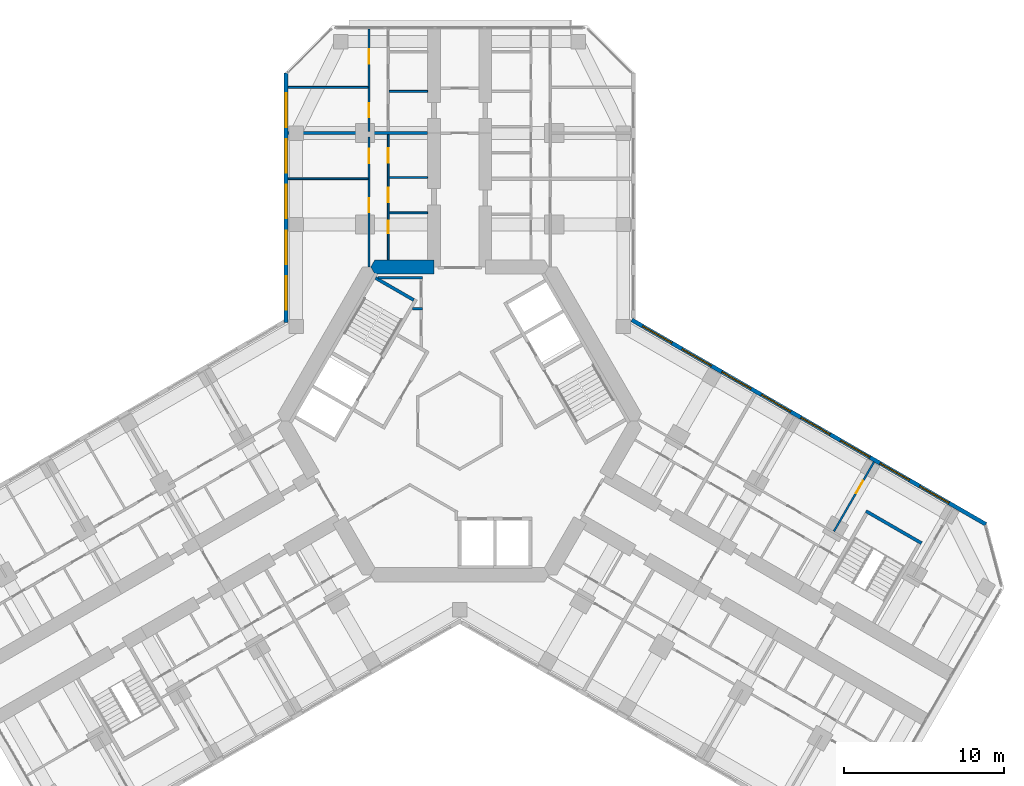
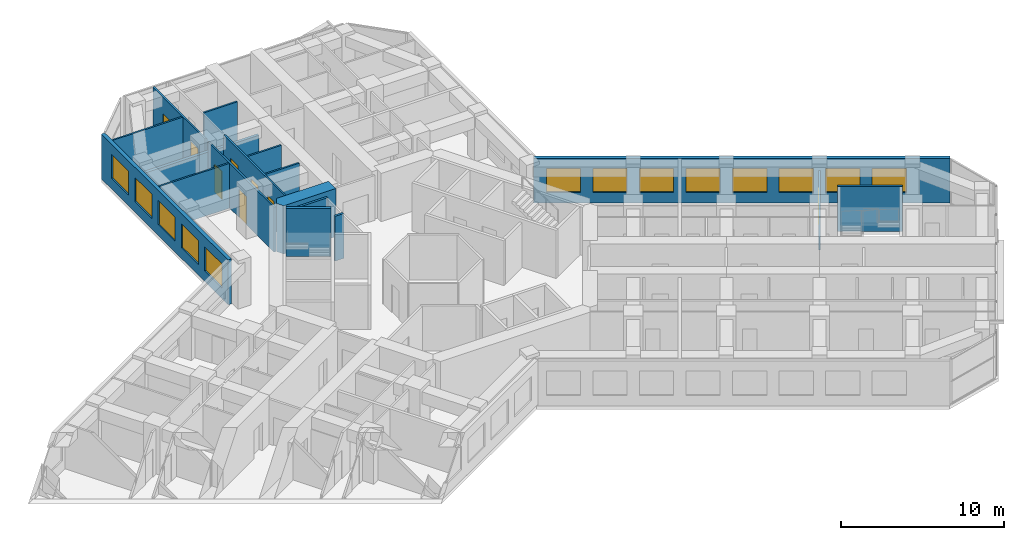
# One storey, part 16 of 19: 17 walls, 13 windows, 8 doors, 21 openings.
"""IFC4 building model written with IfcOpenShell, lengths in metres."""

from ifc_helpers import new_model, si_unit, direction, frame, frame_2d, origin, place, context, subcontext, project, spatial, polyline, rectangle, outline, extrude, material, layer, layer_set, type_object, element, fill, save


model = new_model("IFC4")

# Units and contexts
model_context = context("Model", 3, precision=1e-05, world=origin(), true_north=direction((0.0, 1.0)))
body_context = subcontext(model_context, "Body", "Model", "MODEL_VIEW")
ifc_project = project(units=[si_unit("LENGTHUNIT", "METRE"), si_unit("AREAUNIT", "SQUARE_METRE"), si_unit("VOLUMEUNIT", "CUBIC_METRE"), si_unit("PLANEANGLEUNIT", "RADIAN"), si_unit("MASSUNIT", "GRAM", prefix="KILO")], contexts=[model_context])

# Site, building, storey
site_placement = place(None, origin())
site = spatial("IfcSite", under=ifc_project, at=site_placement, CompositionType="ELEMENT")
building_placement = place(site_placement, origin())
building = spatial("IfcBuilding", under=site, at=building_placement, Name="Kosmar Iwan School Tower", CompositionType="ELEMENT")
storey_placement = place(building_placement, frame((0.0, 0.0, 149.0)))
storey = spatial("IfcBuildingStorey", under=building, at=storey_placement, Name="L37", CompositionType="ELEMENT", Elevation=149.0)

# Walls
ifc_material_1 = material(Name="Gypsum board on steel studs, fire-rated", Category="steel")
ifc_layer_1 = layer(ifc_material_1, 0.14990234375)
ifc_layer_set_1 = layer_set([ifc_layer_1], Name="Core room partition 150")
wall_type_1 = type_object("IfcWallType", Name="Core room partition 150", PredefinedType="PARTITIONING", material=ifc_layer_set_1)
wall_1_placement = place(storey_placement, frame((-2.324951171875, 6.985107421875, 0.0), z_axis=(0.0, 0.0, 1.0), x_axis=(-1.0, 0.0, 0.0)))
element("IfcWall", 1, at=wall_1_placement, inside=storey, type_object=wall_type_1, Name="Core room partition L37-CW2", PredefinedType="PARTITIONING", context=body_context, shape_type="SweptSolid", body=[
    extrude(rectangle(XDim=0.623779296875, YDim=0.14990234375, at=frame_2d((0.31201171875, 0.0))), origin(), (0.0, 0.0, 1.0), 3.35009765625),
])
wall_2_placement = place(storey_placement, frame((-5.089599609375, 8.93994140625, 0.0), z_axis=(0.0, 0.0, 1.0), x_axis=(1.0, 0.0, 0.0)))
element("IfcWall", 2, at=wall_2_placement, inside=storey, type_object=wall_type_1, Name="Core room partition L37-CW3", PredefinedType="PARTITIONING", context=body_context, shape_type="SweptSolid", body=[
    extrude(rectangle(XDim=2.7646484375, YDim=0.14990234375, at=frame_2d((1.38232421875, 0.0))), origin(), (0.0, 0.0, 1.0), 3.35009765625),
])
ifc_material_2 = material(Name="Concrete C50/60", Category="concrete")
ifc_layer_2 = layer(ifc_material_2, 0.89990234375)
ifc_layer_set_2 = layer_set([ifc_layer_2], Name="Core wall 900")
wall_type_2 = type_object("IfcWallType", Name="Core wall 900", PredefinedType="SHEAR", material=ifc_layer_set_2)
wall_3_placement = place(storey_placement, origin())
element("IfcWall", 3, at=wall_3_placement, inside=storey, type_object=wall_type_2, Name="Core wall F090b", PredefinedType="SHEAR", context=body_context, shape_type="SweptSolid", body=[
    extrude(outline(polyline([(-5.28271484375, 9.14990234375), (-1.60009765625, 9.14990234375), (-1.60009765625, 10.050048828125), (-5.28271484375, 10.050048828125), (-5.54248046875, 9.60009765625), (-5.28271484375, 9.14990234375)])), origin(), (0.0, 0.0, 1.0), 3.60009765625),
])

# Wall, openings, doors
ifc_material_3 = material(Name="Gypsum board on steel studs", Category="steel")
ifc_layer_3 = layer(ifc_material_3, 0.1201171875)
ifc_layer_set_3 = layer_set([ifc_layer_3], Name="Dwelling partition 120")
wall_type_3 = type_object("IfcWallType", Name="Dwelling partition 120", PredefinedType="PARTITIONING", material=ifc_layer_set_3)
wall_4_placement = place(storey_placement, frame((-4.449951171875, 10.050048828125, 0.0), z_axis=(0.0, 0.0, 1.0), x_axis=(0.0, 1.0, 0.0)))
wall_4 = element("IfcWall", 4, at=wall_4_placement, inside=storey, type_object=wall_type_3, Name="Partition L37-AL1-W1", PredefinedType="PARTITIONING", context=body_context, shape_type="SweptSolid", body=[
    extrude(rectangle(XDim=7.800048828125, YDim=0.1201171875, at=frame_2d((3.89990234375, 0.0))), origin(), (0.0, 0.0, 1.0), 3.35009765625),
])
opening_1_placement = place(wall_4_placement, frame((1.639892578125, 0.0, 0.0)))
opening_1 = element("IfcOpeningElement", 5, at=opening_1_placement, cuts=wall_4, Name="Opening D3", PredefinedType="OPENING", context=body_context, shape_type="SweptSolid", body=[
    extrude(rectangle(XDim=0.800048828125, YDim=2.10009765625, at=frame_2d((0.39990234375, 1.050048828125))), frame((0.0, 0.072021484375, 0.0), z_axis=(0.0, -1.0, 0.0), x_axis=(1.0, 0.0, 0.0)), (0.0, 0.0, 1.0), 0.14404296875),
])
opening_2_placement = place(wall_4_placement, frame((3.580078125, 0.0, 0.0)))
opening_2 = element("IfcOpeningElement", 6, at=opening_2_placement, cuts=wall_4, Name="Opening D2", PredefinedType="OPENING", context=body_context, shape_type="SweptSolid", body=[
    extrude(rectangle(XDim=0.89990234375, YDim=2.10009765625, at=frame_2d((0.449951171875, 1.050048828125))), frame((0.0, 0.072021484375, 0.0), z_axis=(0.0, -1.0, 0.0), x_axis=(1.0, 0.0, 0.0)), (0.0, 0.0, 1.0), 0.14404296875),
])
opening_3_placement = place(wall_4_placement, frame((6.06494140625, 0.0, 0.0)))
opening_3 = element("IfcOpeningElement", 7, at=opening_3_placement, cuts=wall_4, Name="Opening D2", PredefinedType="OPENING", context=body_context, shape_type="SweptSolid", body=[
    extrude(rectangle(XDim=0.89990234375, YDim=2.10009765625, at=frame_2d((0.449951171875, 1.050048828125))), frame((0.0, 0.072021484375, 0.0), z_axis=(0.0, -1.0, 0.0), x_axis=(1.0, 0.0, 0.0)), (0.0, 0.0, 1.0), 0.14404296875),
])
ifc_material_4 = material(Name="Timber door in timber frame", Category="wood")
door_type_1 = type_object("IfcDoorType", Name="Internal door 900x2100", OperationType="SINGLE_SWING_LEFT", PredefinedType="DOOR", material=ifc_material_4)
door_1_placement = place(opening_2_placement, origin())
door_1 = element("IfcDoor", 8, at=door_1_placement, inside=storey, type_object=door_type_1, Name="Entrance hall door L37-AL1-S2", OperationType="SINGLE_SWING_RIGHT", OverallHeight=2.10009765625, OverallWidth=0.89990234375, PredefinedType="DOOR", context=body_context, shape_type="SweptSolid", body=[
    extrude(rectangle(XDim=0.89990234375, YDim=2.10009765625, at=frame_2d((0.449951171875, 1.050048828125))), frame((0.0, 0.02490234375, 0.0), z_axis=(0.0, -1.0, 0.0), x_axis=(1.0, 0.0, 0.0)), (0.0, 0.0, 1.0), 0.050048828125),
])
fill(opening_2, door_1)
door_2_placement = place(opening_3_placement, origin())
door_2 = element("IfcDoor", 9, at=door_2_placement, inside=storey, type_object=door_type_1, Name="Pantry door L37-AL1-S3", OperationType="SINGLE_SWING_RIGHT", OverallHeight=2.10009765625, OverallWidth=0.89990234375, PredefinedType="DOOR", context=body_context, shape_type="SweptSolid", body=[
    extrude(rectangle(XDim=0.89990234375, YDim=2.10009765625, at=frame_2d((0.449951171875, 1.050048828125))), frame((0.0, 0.02490234375, 0.0), z_axis=(0.0, -1.0, 0.0), x_axis=(1.0, 0.0, 0.0)), (0.0, 0.0, 1.0), 0.050048828125),
])
fill(opening_3, door_2)
ifc_material_5 = material(Name="Timber door in timber frame", Category="wood")
door_type_2 = type_object("IfcDoorType", Name="Sanitary room door 800x2100", OperationType="SINGLE_SWING_LEFT", PredefinedType="DOOR", material=ifc_material_5)
door_3_placement = place(opening_1_placement, origin())
door_3 = element("IfcDoor", 10, at=door_3_placement, inside=storey, type_object=door_type_2, Name="Bathroom door L37-AL1-S1", OperationType="SINGLE_SWING_LEFT", OverallHeight=2.10009765625, OverallWidth=0.800048828125, PredefinedType="DOOR", context=body_context, shape_type="SweptSolid", body=[
    extrude(rectangle(XDim=0.800048828125, YDim=2.10009765625, at=frame_2d((0.39990234375, 1.050048828125))), frame((0.0, 0.02490234375, 0.0), z_axis=(0.0, -1.0, 0.0), x_axis=(1.0, 0.0, 0.0)), (0.0, 0.0, 1.0), 0.050048828125),
])
fill(opening_1, door_3)

wall_5_placement = place(storey_placement, frame((-5.64990234375, 9.60009765625, 0.0), z_axis=(0.0, 0.0, 1.0), x_axis=(0.0, 1.0, 0.0)))
wall_5 = element("IfcWall", 11, at=wall_5_placement, inside=storey, type_object=wall_type_3, Name="Partition L37-AL1-W2", PredefinedType="PARTITIONING", context=body_context, shape_type="SweptSolid", body=[
    extrude(rectangle(XDim=8.099853515625, YDim=0.1201171875, at=frame_2d((4.0498046875, 0.0))), origin(), (0.0, 0.0, 1.0), 3.35009765625),
])
opening_4_placement = place(wall_5_placement, frame((3.39990234375, 0.0, 0.0)))
opening_4 = element("IfcOpeningElement", 12, at=opening_4_placement, cuts=wall_5, Name="Opening D2", PredefinedType="OPENING", context=body_context, shape_type="SweptSolid", body=[
    extrude(rectangle(XDim=0.89990234375, YDim=2.10009765625, at=frame_2d((0.449951171875, 1.050048828125))), frame((0.0, 0.072021484375, 0.0), z_axis=(0.0, -1.0, 0.0), x_axis=(1.0, 0.0, 0.0)), (0.0, 0.0, 1.0), 0.14404296875),
])
opening_5_placement = place(wall_5_placement, frame((6.47509765625, 0.0, 0.0)))
opening_5 = element("IfcOpeningElement", 13, at=opening_5_placement, cuts=wall_5, Name="Opening D2", PredefinedType="OPENING", context=body_context, shape_type="SweptSolid", body=[
    extrude(rectangle(XDim=0.89990234375, YDim=2.10009765625, at=frame_2d((0.449951171875, 1.050048828125))), frame((0.0, 0.072021484375, 0.0), z_axis=(0.0, -1.0, 0.0), x_axis=(1.0, 0.0, 0.0)), (0.0, 0.0, 1.0), 0.14404296875),
])
door_4_placement = place(opening_4_placement, origin())
door_4 = element("IfcDoor", 14, at=door_4_placement, inside=storey, type_object=door_type_1, Name="Family room and kitchen door L37-AL1-F1", OperationType="SINGLE_SWING_RIGHT", OverallHeight=2.10009765625, OverallWidth=0.89990234375, PredefinedType="DOOR", context=body_context, shape_type="SweptSolid", body=[
    extrude(rectangle(XDim=0.89990234375, YDim=2.10009765625, at=frame_2d((0.449951171875, 1.050048828125))), frame((0.0, 0.02490234375, 0.0), z_axis=(0.0, -1.0, 0.0), x_axis=(1.0, 0.0, 0.0)), (0.0, 0.0, 1.0), 0.050048828125),
])
fill(opening_4, door_4)
door_5_placement = place(opening_5_placement, origin())
door_5 = element("IfcDoor", 15, at=door_5_placement, inside=storey, type_object=door_type_1, Name="Bedroom 1 door L37-AL1-F2", OperationType="SINGLE_SWING_RIGHT", OverallHeight=2.10009765625, OverallWidth=0.89990234375, PredefinedType="DOOR", context=body_context, shape_type="SweptSolid", body=[
    extrude(rectangle(XDim=0.89990234375, YDim=2.10009765625, at=frame_2d((0.449951171875, 1.050048828125))), frame((0.0, 0.02490234375, 0.0), z_axis=(0.0, -1.0, 0.0), x_axis=(1.0, 0.0, 0.0)), (0.0, 0.0, 1.0), 0.050048828125),
])
fill(opening_5, door_5)

# Walls
wall_6_placement = place(storey_placement, frame((-5.7099609375, 15.10009765625, 0.0), z_axis=(0.0, 0.0, 1.0), x_axis=(-1.0, 0.0, 0.0)))
element("IfcWall", 16, at=wall_6_placement, inside=storey, type_object=wall_type_3, Name="Partition L37-AL1-X1", PredefinedType="PARTITIONING", context=body_context, shape_type="SweptSolid", body=[
    extrude(rectangle(XDim=4.989990234375, YDim=0.1201171875, at=frame_2d((2.4951171875, 0.0))), origin(), (0.0, 0.0, 1.0), 3.35009765625),
])
for number, where, z_axis, x_axis, name in (
    (17, (-2.0, 12.97998046875, 0.0), (0.0, 0.0, 1.0), (-1.0, 0.0, 0.0), "Partition L37-AL1-Y1"),
    (18, (-2.0, 15.179931640625, 0.0), (0.0, 0.0, 1.0), (-1.0, 0.0, 0.0), "Partition L37-AL1-Y2"),
):
    element("IfcWall", number, at=place(storey_placement, frame(where, z_axis=z_axis, x_axis=x_axis)), inside=storey, type_object=wall_type_3, Name=name, PredefinedType="PARTITIONING", context=body_context, shape_type="SweptSolid", body=[
        extrude(rectangle(XDim=2.389892578125, YDim=0.1201171875, at=frame_2d((1.19482421875, 0.0))), origin(), (0.0, 0.0, 1.0), 3.35009765625),
    ])

# Wall, openings, doors
wall_7_placement = place(storey_placement, frame((-5.64990234375, 18.050048828125, 0.0), z_axis=(0.0, 0.0, 1.0), x_axis=(0.0, 1.0, 0.0)))
wall_7 = element("IfcWall", 19, at=wall_7_placement, inside=storey, type_object=wall_type_3, Name="Partition L37-AL2-W2", PredefinedType="PARTITIONING", context=body_context, shape_type="SweptSolid", body=[
    extrude(rectangle(XDim=6.39501953125, YDim=0.1201171875, at=frame_2d((3.197509765625, 0.0))), origin(), (0.0, 0.0, 1.0), 3.35009765625),
])
opening_6_placement = place(wall_7_placement, frame((0.875, 0.0, 0.0)))
opening_6 = element("IfcOpeningElement", 20, at=opening_6_placement, cuts=wall_7, Name="Opening D2", PredefinedType="OPENING", context=body_context, shape_type="SweptSolid", body=[
    extrude(rectangle(XDim=0.89990234375, YDim=2.10009765625, at=frame_2d((0.449951171875, 1.050048828125))), frame((0.0, 0.072021484375, 0.0), z_axis=(0.0, -1.0, 0.0), x_axis=(1.0, 0.0, 0.0)), (0.0, 0.0, 1.0), 0.14404296875),
])
opening_7_placement = place(wall_7_placement, frame((4.22509765625, 0.0, 0.0)))
opening_7 = element("IfcOpeningElement", 21, at=opening_7_placement, cuts=wall_7, Name="Opening D2", PredefinedType="OPENING", context=body_context, shape_type="SweptSolid", body=[
    extrude(rectangle(XDim=0.89990234375, YDim=2.10009765625, at=frame_2d((0.449951171875, 1.050048828125))), frame((0.0, 0.072021484375, 0.0), z_axis=(0.0, -1.0, 0.0), x_axis=(1.0, 0.0, 0.0)), (0.0, 0.0, 1.0), 0.14404296875),
])
door_6_placement = place(opening_6_placement, origin())
door_6 = element("IfcDoor", 22, at=door_6_placement, inside=storey, type_object=door_type_1, Name="Family room and kitchen door L37-AL2-F1", OperationType="SINGLE_SWING_LEFT", OverallHeight=2.10009765625, OverallWidth=0.89990234375, PredefinedType="DOOR", context=body_context, shape_type="SweptSolid", body=[
    extrude(rectangle(XDim=0.89990234375, YDim=2.10009765625, at=frame_2d((0.449951171875, 1.050048828125))), frame((0.0, 0.02490234375, 0.0), z_axis=(0.0, -1.0, 0.0), x_axis=(1.0, 0.0, 0.0)), (0.0, 0.0, 1.0), 0.050048828125),
])
fill(opening_6, door_6)
door_7_placement = place(opening_7_placement, origin())
door_7 = element("IfcDoor", 23, at=door_7_placement, inside=storey, type_object=door_type_1, Name="Bedroom 1 door L37-AL2-F2", OperationType="SINGLE_SWING_RIGHT", OverallHeight=2.10009765625, OverallWidth=0.89990234375, PredefinedType="DOOR", context=body_context, shape_type="SweptSolid", body=[
    extrude(rectangle(XDim=0.89990234375, YDim=2.10009765625, at=frame_2d((0.449951171875, 1.050048828125))), frame((0.0, 0.02490234375, 0.0), z_axis=(0.0, -1.0, 0.0), x_axis=(1.0, 0.0, 0.0)), (0.0, 0.0, 1.0), 0.050048828125),
])
fill(opening_7, door_7)

# Walls
wall_8_placement = place(storey_placement, frame((-5.7099609375, 20.800048828125, 0.0), z_axis=(0.0, 0.0, 1.0), x_axis=(-1.0, 0.0, 0.0)))
element("IfcWall", 24, at=wall_8_placement, inside=storey, type_object=wall_type_3, Name="Partition L37-AL2-X1", PredefinedType="PARTITIONING", context=body_context, shape_type="SweptSolid", body=[
    extrude(rectangle(XDim=4.989990234375, YDim=0.1201171875, at=frame_2d((2.4951171875, 0.0))), origin(), (0.0, 0.0, 1.0), 3.35009765625),
])
wall_9_placement = place(storey_placement, frame((-2.0, 20.550048828125, 0.0), z_axis=(0.0, 0.0, 1.0), x_axis=(-1.0, 0.0, 0.0)))
element("IfcWall", 25, at=wall_9_placement, inside=storey, type_object=wall_type_3, Name="Partition L37-AL2-Y1", PredefinedType="PARTITIONING", context=body_context, shape_type="SweptSolid", body=[
    extrude(rectangle(XDim=2.389892578125, YDim=0.1201171875, at=frame_2d((1.19482421875, 0.0))), origin(), (0.0, 0.0, 1.0), 3.35009765625),
])

# Wall, opening, door
wall_10_placement = place(storey_placement, frame((23.33642578125, -6.8798828125, 0.0), z_axis=(0.0, 0.0, 1.0), x_axis=(0.500033033937, 0.866006330792, 0.0)))
wall_10 = element("IfcWall", 26, at=wall_10_placement, inside=storey, type_object=wall_type_3, Name="Partition L37-CL2-TB", PredefinedType="PARTITIONING", context=body_context, shape_type="SweptSolid", body=[
    extrude(rectangle(XDim=4.989990234375, YDim=0.1201171875, at=frame_2d((2.4951171875, 0.0))), origin(), (0.0, 0.0, 1.0), 2.449951171875),
])
opening_8_placement = place(wall_10_placement, frame((2.739990234375, 0.0, 0.0)))
opening_8 = element("IfcOpeningElement", 27, at=opening_8_placement, cuts=wall_10, Name="Opening D2", PredefinedType="OPENING", context=body_context, shape_type="SweptSolid", body=[
    extrude(rectangle(XDim=0.89990234375, YDim=2.10009765625, at=frame_2d((0.449951171875, 1.050048828125))), frame((0.0, 0.072021484375, 0.0), z_axis=(0.0, -1.0, 0.0), x_axis=(1.0, 0.0, 0.0)), (0.0, 0.0, 1.0), 0.14404296875),
])
door_8_placement = place(opening_8_placement, origin())
door_8 = element("IfcDoor", 28, at=door_8_placement, inside=storey, type_object=door_type_1, Name="Study door L37-CL2-F2", OperationType="SINGLE_SWING_RIGHT", OverallHeight=2.10009765625, OverallWidth=0.89990234375, PredefinedType="DOOR", context=body_context, shape_type="SweptSolid", body=[
    extrude(rectangle(XDim=0.89990234375, YDim=2.10009765625, at=frame_2d((0.449951171875, 1.050048828125))), frame((0.0, 0.02490234375, 0.0), z_axis=(0.0, -1.0, 0.0), x_axis=(1.0, 0.0, 0.0)), (0.0, 0.0, 1.0), 0.050048828125),
])
fill(opening_8, door_8)

# Wall
ifc_material_6 = material(Name="Concrete C35/45", Category="concrete")
ifc_layer_4 = layer(ifc_material_6, 0.199951171875)
ifc_layer_set_4 = layer_set([ifc_layer_4], Name="Escape stair wall 200")
wall_type_4 = type_object("IfcWallType", Name="Escape stair wall 200", PredefinedType="SHEAR", material=ifc_layer_set_4)
wall_11_placement = place(storey_placement, frame((25.334228515625, -5.6201171875, 0.0), z_axis=(0.0, 0.0, 1.0), x_axis=(0.866026010844, -0.49999894854, 0.0)))
element("IfcWall", 29, at=wall_11_placement, inside=storey, type_object=wall_type_4, Name="Stair WS3 wall", PredefinedType="SHEAR", context=body_context, shape_type="SweptSolid", body=[
    extrude(rectangle(XDim=4.0, YDim=0.199951171875, at=frame_2d((2.0, 0.0))), origin(), (0.0, 0.0, 1.0), 3.330078125),
])

# Wall, openings, windows
ifc_material_7 = material(Name="Black aluminium rainscreen on insulated framing", Category="aluminium")
ifc_layer_5 = layer(ifc_material_7, 0.25)
ifc_layer_set_5 = layer_set([ifc_layer_5], Name="External wall rainscreen 250")
wall_type_5 = type_object("IfcWallType", Name="External wall rainscreen 250", PredefinedType="SOLIDWALL", material=ifc_layer_set_5)
wall_12_placement = place(storey_placement, frame((10.73681640625, 6.30078125, 0.0), z_axis=(0.0, 0.0, 1.0), x_axis=(0.866026390279, -0.499998291337, 0.0)))
wall_12 = element("IfcWall", 30, at=wall_12_placement, inside=storey, type_object=wall_type_5, Name="External wall CL L37", PredefinedType="SOLIDWALL", context=body_context, shape_type="SweptSolid", body=[
    extrude(rectangle(XDim=25.4873046875, YDim=0.25, at=frame_2d((12.74365234375, 0.0))), origin(), (0.0, 0.0, 1.0), 3.35009765625),
])
opening_9_placement = place(wall_12_placement, frame((0.777099609375, 0.0, 0.800048828125)))
opening_9 = element("IfcOpeningElement", 31, at=opening_9_placement, cuts=wall_12, Name="Opening W4", PredefinedType="OPENING", context=body_context, shape_type="SweptSolid", body=[
    extrude(rectangle(XDim=2.10009765625, YDim=1.800048828125, at=frame_2d((1.050048828125, 0.89990234375))), frame((0.0, 0.136962890625, 0.0), z_axis=(0.0, -1.0, 0.0), x_axis=(1.0, 0.0, 0.0)), (0.0, 0.0, 1.0), 0.27392578125),
])
opening_10_placement = place(wall_12_placement, frame((3.626953125, 0.0, 0.800048828125)))
opening_10 = element("IfcOpeningElement", 32, at=opening_10_placement, cuts=wall_12, Name="Opening W4", PredefinedType="OPENING", context=body_context, shape_type="SweptSolid", body=[
    extrude(rectangle(XDim=2.10009765625, YDim=1.800048828125, at=frame_2d((1.050048828125, 0.89990234375))), frame((0.0, 0.136962890625, 0.0), z_axis=(0.0, -1.0, 0.0), x_axis=(1.0, 0.0, 0.0)), (0.0, 0.0, 1.0), 0.27392578125),
])
opening_11_placement = place(wall_12_placement, frame((6.47705078125, 0.0, 0.800048828125)))
opening_11 = element("IfcOpeningElement", 33, at=opening_11_placement, cuts=wall_12, Name="Opening W4", PredefinedType="OPENING", context=body_context, shape_type="SweptSolid", body=[
    extrude(rectangle(XDim=2.10009765625, YDim=1.800048828125, at=frame_2d((1.050048828125, 0.89990234375))), frame((0.0, 0.136962890625, 0.0), z_axis=(0.0, -1.0, 0.0), x_axis=(1.0, 0.0, 0.0)), (0.0, 0.0, 1.0), 0.27392578125),
])
opening_12_placement = place(wall_12_placement, frame((9.326904296875, 0.0, 0.800048828125)))
opening_12 = element("IfcOpeningElement", 34, at=opening_12_placement, cuts=wall_12, Name="Opening W4", PredefinedType="OPENING", context=body_context, shape_type="SweptSolid", body=[
    extrude(rectangle(XDim=2.10009765625, YDim=1.800048828125, at=frame_2d((1.050048828125, 0.89990234375))), frame((0.0, 0.136962890625, 0.0), z_axis=(0.0, -1.0, 0.0), x_axis=(1.0, 0.0, 0.0)), (0.0, 0.0, 1.0), 0.27392578125),
])
opening_13_placement = place(wall_12_placement, frame((12.177001953125, 0.0, 0.800048828125)))
opening_13 = element("IfcOpeningElement", 35, at=opening_13_placement, cuts=wall_12, Name="Opening W4", PredefinedType="OPENING", context=body_context, shape_type="SweptSolid", body=[
    extrude(rectangle(XDim=2.10009765625, YDim=1.800048828125, at=frame_2d((1.050048828125, 0.89990234375))), frame((0.0, 0.136962890625, 0.0), z_axis=(0.0, -1.0, 0.0), x_axis=(1.0, 0.0, 0.0)), (0.0, 0.0, 1.0), 0.27392578125),
])
opening_14_placement = place(wall_12_placement, frame((15.027099609375, 0.0, 0.800048828125)))
opening_14 = element("IfcOpeningElement", 36, at=opening_14_placement, cuts=wall_12, Name="Opening W4", PredefinedType="OPENING", context=body_context, shape_type="SweptSolid", body=[
    extrude(rectangle(XDim=2.10009765625, YDim=1.800048828125, at=frame_2d((1.050048828125, 0.89990234375))), frame((0.0, 0.136962890625, 0.0), z_axis=(0.0, -1.0, 0.0), x_axis=(1.0, 0.0, 0.0)), (0.0, 0.0, 1.0), 0.27392578125),
])
opening_15_placement = place(wall_12_placement, frame((17.876953125, 0.0, 0.800048828125)))
opening_15 = element("IfcOpeningElement", 37, at=opening_15_placement, cuts=wall_12, Name="Opening W4", PredefinedType="OPENING", context=body_context, shape_type="SweptSolid", body=[
    extrude(rectangle(XDim=2.10009765625, YDim=1.800048828125, at=frame_2d((1.050048828125, 0.89990234375))), frame((0.0, 0.136962890625, 0.0), z_axis=(0.0, -1.0, 0.0), x_axis=(1.0, 0.0, 0.0)), (0.0, 0.0, 1.0), 0.27392578125),
])
opening_16_placement = place(wall_12_placement, frame((20.72705078125, 0.0, 0.800048828125)))
opening_16 = element("IfcOpeningElement", 38, at=opening_16_placement, cuts=wall_12, Name="Opening W4", PredefinedType="OPENING", context=body_context, shape_type="SweptSolid", body=[
    extrude(rectangle(XDim=2.10009765625, YDim=1.800048828125, at=frame_2d((1.050048828125, 0.89990234375))), frame((0.0, 0.136962890625, 0.0), z_axis=(0.0, -1.0, 0.0), x_axis=(1.0, 0.0, 0.0)), (0.0, 0.0, 1.0), 0.27392578125),
])
ifc_material_8 = material(Name="Black aluminium frame with dark triple glazing", Category="aluminium")
window_type = type_object("IfcWindowType", Name="Window 2100x1800", PartitioningType="SINGLE_PANEL", PredefinedType="WINDOW", material=ifc_material_8)
window_1_placement = place(opening_9_placement, origin())
window_1 = element("IfcWindow", 39, at=window_1_placement, inside=storey, type_object=window_type, Name="Window CL L37 -1", OverallHeight=1.800048828125, OverallWidth=2.10009765625, PartitioningType="SINGLE_PANEL", PredefinedType="WINDOW", context=body_context, shape_type="SweptSolid", body=[
    extrude(rectangle(XDim=2.10009765625, YDim=1.800048828125, at=frame_2d((1.050048828125, 0.89990234375))), frame((0.0, 0.030029296875, 0.0), z_axis=(0.0, -1.0, 0.0), x_axis=(1.0, 0.0, 0.0)), (0.0, 0.0, 1.0), 0.06005859375),
])
fill(opening_9, window_1)
window_2_placement = place(opening_10_placement, origin())
window_2 = element("IfcWindow", 40, at=window_2_placement, inside=storey, type_object=window_type, Name="Window CL L37 0", OverallHeight=1.800048828125, OverallWidth=2.10009765625, PartitioningType="SINGLE_PANEL", PredefinedType="WINDOW", context=body_context, shape_type="SweptSolid", body=[
    extrude(rectangle(XDim=2.10009765625, YDim=1.800048828125, at=frame_2d((1.050048828125, 0.89990234375))), frame((0.0, 0.030029296875, 0.0), z_axis=(0.0, -1.0, 0.0), x_axis=(1.0, 0.0, 0.0)), (0.0, 0.0, 1.0), 0.06005859375),
])
fill(opening_10, window_2)
window_3_placement = place(opening_11_placement, origin())
window_3 = element("IfcWindow", 41, at=window_3_placement, inside=storey, type_object=window_type, Name="Window CL L37 1", OverallHeight=1.800048828125, OverallWidth=2.10009765625, PartitioningType="SINGLE_PANEL", PredefinedType="WINDOW", context=body_context, shape_type="SweptSolid", body=[
    extrude(rectangle(XDim=2.10009765625, YDim=1.800048828125, at=frame_2d((1.050048828125, 0.89990234375))), frame((0.0, 0.030029296875, 0.0), z_axis=(0.0, -1.0, 0.0), x_axis=(1.0, 0.0, 0.0)), (0.0, 0.0, 1.0), 0.06005859375),
])
fill(opening_11, window_3)
window_4_placement = place(opening_12_placement, origin())
window_4 = element("IfcWindow", 42, at=window_4_placement, inside=storey, type_object=window_type, Name="Window CL L37 2", OverallHeight=1.800048828125, OverallWidth=2.10009765625, PartitioningType="SINGLE_PANEL", PredefinedType="WINDOW", context=body_context, shape_type="SweptSolid", body=[
    extrude(rectangle(XDim=2.10009765625, YDim=1.800048828125, at=frame_2d((1.050048828125, 0.89990234375))), frame((0.0, 0.030029296875, 0.0), z_axis=(0.0, -1.0, 0.0), x_axis=(1.0, 0.0, 0.0)), (0.0, 0.0, 1.0), 0.06005859375),
])
fill(opening_12, window_4)
window_5_placement = place(opening_13_placement, origin())
window_5 = element("IfcWindow", 43, at=window_5_placement, inside=storey, type_object=window_type, Name="Window CL L37 3", OverallHeight=1.800048828125, OverallWidth=2.10009765625, PartitioningType="SINGLE_PANEL", PredefinedType="WINDOW", context=body_context, shape_type="SweptSolid", body=[
    extrude(rectangle(XDim=2.10009765625, YDim=1.800048828125, at=frame_2d((1.050048828125, 0.89990234375))), frame((0.0, 0.030029296875, 0.0), z_axis=(0.0, -1.0, 0.0), x_axis=(1.0, 0.0, 0.0)), (0.0, 0.0, 1.0), 0.06005859375),
])
fill(opening_13, window_5)
window_6_placement = place(opening_14_placement, origin())
window_6 = element("IfcWindow", 44, at=window_6_placement, inside=storey, type_object=window_type, Name="Window CL L37 4", OverallHeight=1.800048828125, OverallWidth=2.10009765625, PartitioningType="SINGLE_PANEL", PredefinedType="WINDOW", context=body_context, shape_type="SweptSolid", body=[
    extrude(rectangle(XDim=2.10009765625, YDim=1.800048828125, at=frame_2d((1.050048828125, 0.89990234375))), frame((0.0, 0.030029296875, 0.0), z_axis=(0.0, -1.0, 0.0), x_axis=(1.0, 0.0, 0.0)), (0.0, 0.0, 1.0), 0.06005859375),
])
fill(opening_14, window_6)
window_7_placement = place(opening_15_placement, origin())
window_7 = element("IfcWindow", 45, at=window_7_placement, inside=storey, type_object=window_type, Name="Window CL L37 5", OverallHeight=1.800048828125, OverallWidth=2.10009765625, PartitioningType="SINGLE_PANEL", PredefinedType="WINDOW", context=body_context, shape_type="SweptSolid", body=[
    extrude(rectangle(XDim=2.10009765625, YDim=1.800048828125, at=frame_2d((1.050048828125, 0.89990234375))), frame((0.0, 0.030029296875, 0.0), z_axis=(0.0, -1.0, 0.0), x_axis=(1.0, 0.0, 0.0)), (0.0, 0.0, 1.0), 0.06005859375),
])
fill(opening_15, window_7)
window_8_placement = place(opening_16_placement, origin())
window_8 = element("IfcWindow", 46, at=window_8_placement, inside=storey, type_object=window_type, Name="Window CL L37 6", OverallHeight=1.800048828125, OverallWidth=2.10009765625, PartitioningType="SINGLE_PANEL", PredefinedType="WINDOW", context=body_context, shape_type="SweptSolid", body=[
    extrude(rectangle(XDim=2.10009765625, YDim=1.800048828125, at=frame_2d((1.050048828125, 0.89990234375))), frame((0.0, 0.030029296875, 0.0), z_axis=(0.0, -1.0, 0.0), x_axis=(1.0, 0.0, 0.0)), (0.0, 0.0, 1.0), 0.06005859375),
])
fill(opening_16, window_8)

wall_13_placement = place(storey_placement, frame((-10.824951171875, 6.14794921875, 0.0), z_axis=(0.0, 0.0, 1.0), x_axis=(0.0, 1.0, 0.0)))
wall_13 = element("IfcWall", 47, at=wall_13_placement, inside=storey, type_object=wall_type_5, Name="External wall AL L37", PredefinedType="SOLIDWALL", context=body_context, shape_type="SweptSolid", body=[
    extrude(rectangle(XDim=15.537353515625, YDim=0.25, at=frame_2d((7.7685546875, 0.0))), origin(), (0.0, 0.0, 1.0), 3.35009765625),
])
opening_17_placement = place(wall_13_placement, frame((0.777099609375, 0.0, 0.800048828125)))
opening_17 = element("IfcOpeningElement", 48, at=opening_17_placement, cuts=wall_13, Name="Opening W4", PredefinedType="OPENING", context=body_context, shape_type="SweptSolid", body=[
    extrude(rectangle(XDim=2.10009765625, YDim=1.800048828125, at=frame_2d((1.050048828125, 0.89990234375))), frame((0.0, 0.136962890625, 0.0), z_axis=(0.0, -1.0, 0.0), x_axis=(1.0, 0.0, 0.0)), (0.0, 0.0, 1.0), 0.27392578125),
])
opening_18_placement = place(wall_13_placement, frame((3.626953125, 0.0, 0.800048828125)))
opening_18 = element("IfcOpeningElement", 49, at=opening_18_placement, cuts=wall_13, Name="Opening W4", PredefinedType="OPENING", context=body_context, shape_type="SweptSolid", body=[
    extrude(rectangle(XDim=2.10009765625, YDim=1.800048828125, at=frame_2d((1.050048828125, 0.89990234375))), frame((0.0, 0.136962890625, 0.0), z_axis=(0.0, -1.0, 0.0), x_axis=(1.0, 0.0, 0.0)), (0.0, 0.0, 1.0), 0.27392578125),
])
opening_19_placement = place(wall_13_placement, frame((6.47705078125, 0.0, 0.800048828125)))
opening_19 = element("IfcOpeningElement", 50, at=opening_19_placement, cuts=wall_13, Name="Opening W4", PredefinedType="OPENING", context=body_context, shape_type="SweptSolid", body=[
    extrude(rectangle(XDim=2.10009765625, YDim=1.800048828125, at=frame_2d((1.050048828125, 0.89990234375))), frame((0.0, 0.136962890625, 0.0), z_axis=(0.0, -1.0, 0.0), x_axis=(1.0, 0.0, 0.0)), (0.0, 0.0, 1.0), 0.27392578125),
])
opening_20_placement = place(wall_13_placement, frame((9.326904296875, 0.0, 0.800048828125)))
opening_20 = element("IfcOpeningElement", 51, at=opening_20_placement, cuts=wall_13, Name="Opening W4", PredefinedType="OPENING", context=body_context, shape_type="SweptSolid", body=[
    extrude(rectangle(XDim=2.10009765625, YDim=1.800048828125, at=frame_2d((1.050048828125, 0.89990234375))), frame((0.0, 0.136962890625, 0.0), z_axis=(0.0, -1.0, 0.0), x_axis=(1.0, 0.0, 0.0)), (0.0, 0.0, 1.0), 0.27392578125),
])
opening_21_placement = place(wall_13_placement, frame((12.177001953125, 0.0, 0.800048828125)))
opening_21 = element("IfcOpeningElement", 52, at=opening_21_placement, cuts=wall_13, Name="Opening W4", PredefinedType="OPENING", context=body_context, shape_type="SweptSolid", body=[
    extrude(rectangle(XDim=2.10009765625, YDim=1.800048828125, at=frame_2d((1.050048828125, 0.89990234375))), frame((0.0, 0.136962890625, 0.0), z_axis=(0.0, -1.0, 0.0), x_axis=(1.0, 0.0, 0.0)), (0.0, 0.0, 1.0), 0.27392578125),
])
window_9_placement = place(opening_17_placement, origin())
window_9 = element("IfcWindow", 53, at=window_9_placement, inside=storey, type_object=window_type, Name="Window AL L37 -1", OverallHeight=1.800048828125, OverallWidth=2.10009765625, PartitioningType="SINGLE_PANEL", PredefinedType="WINDOW", context=body_context, shape_type="SweptSolid", body=[
    extrude(rectangle(XDim=2.10009765625, YDim=1.800048828125, at=frame_2d((1.050048828125, 0.89990234375))), frame((0.0, 0.030029296875, 0.0), z_axis=(0.0, -1.0, 0.0), x_axis=(1.0, 0.0, 0.0)), (0.0, 0.0, 1.0), 0.06005859375),
])
fill(opening_17, window_9)
window_10_placement = place(opening_18_placement, origin())
window_10 = element("IfcWindow", 54, at=window_10_placement, inside=storey, type_object=window_type, Name="Window AL L37 0", OverallHeight=1.800048828125, OverallWidth=2.10009765625, PartitioningType="SINGLE_PANEL", PredefinedType="WINDOW", context=body_context, shape_type="SweptSolid", body=[
    extrude(rectangle(XDim=2.10009765625, YDim=1.800048828125, at=frame_2d((1.050048828125, 0.89990234375))), frame((0.0, 0.030029296875, 0.0), z_axis=(0.0, -1.0, 0.0), x_axis=(1.0, 0.0, 0.0)), (0.0, 0.0, 1.0), 0.06005859375),
])
fill(opening_18, window_10)
window_11_placement = place(opening_19_placement, origin())
window_11 = element("IfcWindow", 55, at=window_11_placement, inside=storey, type_object=window_type, Name="Window AL L37 1", OverallHeight=1.800048828125, OverallWidth=2.10009765625, PartitioningType="SINGLE_PANEL", PredefinedType="WINDOW", context=body_context, shape_type="SweptSolid", body=[
    extrude(rectangle(XDim=2.10009765625, YDim=1.800048828125, at=frame_2d((1.050048828125, 0.89990234375))), frame((0.0, 0.030029296875, 0.0), z_axis=(0.0, -1.0, 0.0), x_axis=(1.0, 0.0, 0.0)), (0.0, 0.0, 1.0), 0.06005859375),
])
fill(opening_19, window_11)
window_12_placement = place(opening_20_placement, origin())
window_12 = element("IfcWindow", 56, at=window_12_placement, inside=storey, type_object=window_type, Name="Window AL L37 2", OverallHeight=1.800048828125, OverallWidth=2.10009765625, PartitioningType="SINGLE_PANEL", PredefinedType="WINDOW", context=body_context, shape_type="SweptSolid", body=[
    extrude(rectangle(XDim=2.10009765625, YDim=1.800048828125, at=frame_2d((1.050048828125, 0.89990234375))), frame((0.0, 0.030029296875, 0.0), z_axis=(0.0, -1.0, 0.0), x_axis=(1.0, 0.0, 0.0)), (0.0, 0.0, 1.0), 0.06005859375),
])
fill(opening_20, window_12)
window_13_placement = place(opening_21_placement, origin())
window_13 = element("IfcWindow", 57, at=window_13_placement, inside=storey, type_object=window_type, Name="Window AL L37 3", OverallHeight=1.800048828125, OverallWidth=2.10009765625, PartitioningType="SINGLE_PANEL", PredefinedType="WINDOW", context=body_context, shape_type="SweptSolid", body=[
    extrude(rectangle(XDim=2.10009765625, YDim=1.800048828125, at=frame_2d((1.050048828125, 0.89990234375))), frame((0.0, 0.030029296875, 0.0), z_axis=(0.0, -1.0, 0.0), x_axis=(1.0, 0.0, 0.0)), (0.0, 0.0, 1.0), 0.06005859375),
])
fill(opening_21, window_13)

# Walls
ifc_material_9 = material(Name="Concrete block masonry", Category="masonry")
ifc_layer_6 = layer(ifc_material_9, 0.199951171875)
ifc_layer_set_6 = layer_set([ifc_layer_6], Name="Party wall 200")
wall_type_6 = type_object("IfcWallType", Name="Party wall 200", PredefinedType="PARTITIONING", material=ifc_layer_set_6)
wall_14_placement = place(storey_placement, frame((-2.0, 17.949951171875, 0.0), z_axis=(0.0, 0.0, 1.0), x_axis=(-1.0, 0.0, 0.0)))
element("IfcWall", 58, at=wall_14_placement, inside=storey, type_object=wall_type_6, Name="Partition L37-AL2-PW", PredefinedType="PARTITIONING", context=body_context, shape_type="SweptSolid", body=[
    extrude(rectangle(XDim=8.699951171875, YDim=0.199951171875, at=frame_2d((4.35009765625, 0.0))), origin(), (0.0, 0.0, 1.0), 2.449951171875),
])
ifc_material_10 = material(Name="Concrete C50/60", Category="concrete")
ifc_layer_7 = layer(ifc_material_10, 0.199951171875)
ifc_layer_set_7 = layer_set([ifc_layer_7], Name="Stair enclosure wall 200")
wall_type_7 = type_object("IfcWallType", Name="Stair enclosure wall 200", PredefinedType="SHEAR", material=ifc_layer_set_7)
wall_15_placement = place(storey_placement, frame((-2.862548828125, 7.541748046875, 0.0), z_axis=(0.0, 0.0, 1.0), x_axis=(-0.866027397988, 0.499996545922, 0.0)))
element("IfcWall", 59, at=wall_15_placement, inside=storey, type_object=wall_type_7, Name="Stair ST2 wall", PredefinedType="SHEAR", context=body_context, shape_type="SweptSolid", body=[
    extrude(rectangle(XDim=2.75, YDim=0.199951171875, at=frame_2d((1.375, 0.0))), origin(), (0.0, 0.0, 1.0), 3.60009765625),
])

save(model, "model.ifc")
